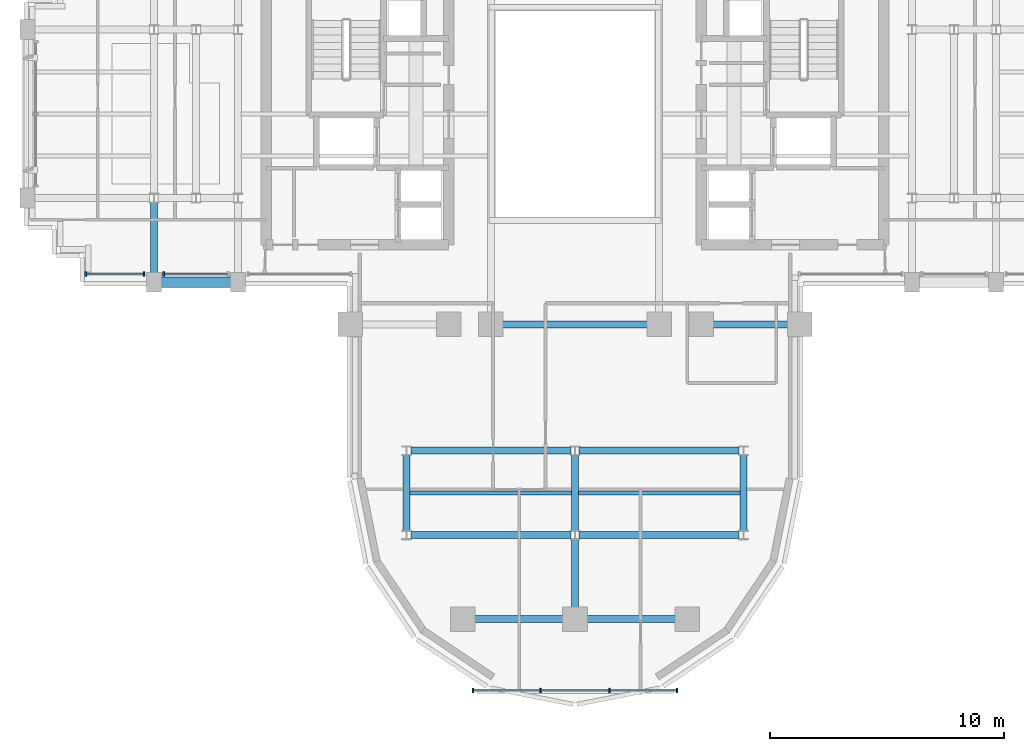
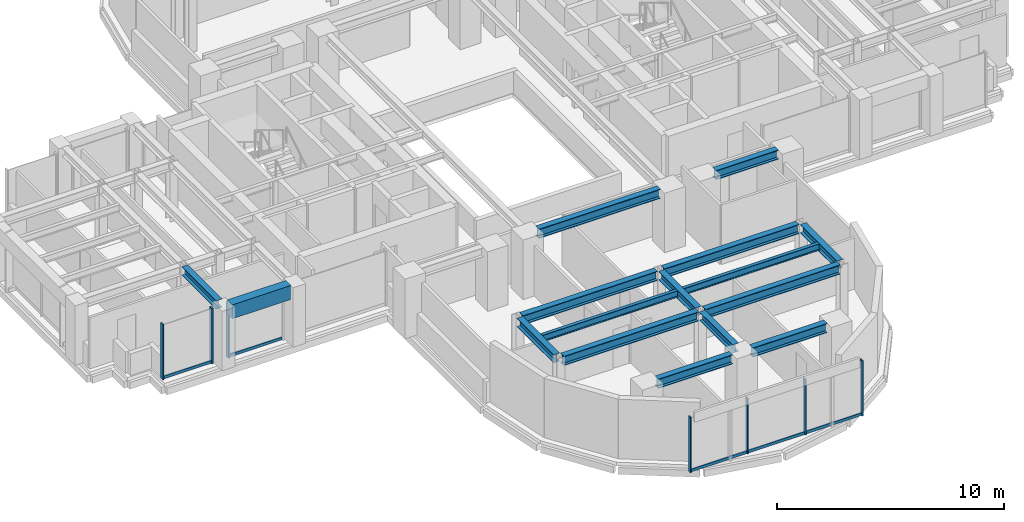
# One storey, part 3 of 14: 16 beams, 12 members, 3 elements without a shape of their own.
"""IFC4 building model written with IfcOpenShell, lengths in metres."""

from ifc_helpers import new_model, si_unit, direction, frame, origin, origin_2d, place, context, subcontext, project, spatial, rectangle, i_section, extrude, source, transform, mapped, material, material_profile, profile_set, type_object, element, aggregate, save


model = new_model("IFC4")

# Units and contexts
model_context = context("Model", 3, precision=1e-05, world=origin(), true_north=direction((0.0, 1.0)))
body_context = subcontext(model_context, "Body", "Model", "MODEL_VIEW")
ifc_project = project(units=[si_unit("LENGTHUNIT", "METRE"), si_unit("AREAUNIT", "SQUARE_METRE"), si_unit("VOLUMEUNIT", "CUBIC_METRE"), si_unit("PLANEANGLEUNIT", "RADIAN"), si_unit("MASSUNIT", "GRAM", prefix="KILO")], contexts=[model_context])

# Site, building, storey
site_placement = place(None, origin())
site = spatial("IfcSite", under=ifc_project, at=site_placement, CompositionType="ELEMENT")
building_placement = place(site_placement, origin())
building = spatial("IfcBuilding", under=site, at=building_placement, Name="Keilestroom Media Tower", CompositionType="ELEMENT")
storey_placement = place(building_placement, frame((0.0, 0.0, 121.0)))
storey = spatial("IfcBuildingStorey", under=building, at=storey_placement, Name="L32", CompositionType="ELEMENT", Elevation=121.0)

# Beams
ifc_material_1 = material(Name="Steel S355", Category="steel")
ifc_material_profile_1 = material_profile(ifc_material_1, i_section(OverallWidth=0.169921875, OverallDepth=0.360107421875, WebThickness=0.008056640625, FlangeThickness=0.0126953125, at=origin_2d()), Name="IPE 360")
ifc_profile_set_1 = profile_set([ifc_material_profile_1], Name="Steel S355")
beam_type_1 = type_object("IfcBeamType", Name="Secondary-Floor-Joist-IPE-360", PredefinedType="JOIST", material=ifc_profile_set_1)
shared_shape_1 = source(origin(), body_context, "Body", "SweptSolid", [
    extrude(i_section(OverallWidth=0.169921875, OverallDepth=0.360107421875, WebThickness=0.008056640625, FlangeThickness=0.0126953125, at=origin_2d()), origin(), (0.0, 0.0, 1.0), 6.940185546875),
])
for number, where, z_axis, x_axis, name in (
    (1, (-7.070068359375, -16.199951171875, 3.02001953125), (1.0, 0.0, 0.0), (0.0, 1.0, 0.0), "L32 Beam BJ-5 JST-L32-069"),
    (2, (0.1298828125, -16.199951171875, 3.02001953125), (1.0, 0.0, 0.0), (0.0, 1.0, 0.0), "L32 Beam BJ-5 JST-L32-070"),
):
    element("IfcBeam", number, at=place(storey_placement, frame(where, z_axis=z_axis, x_axis=x_axis)), inside=storey, type_object=beam_type_1, Name=name, PredefinedType="JOIST", context=body_context, shape_type="MappedRepresentation", body=[
        mapped(shared_shape_1, transform((0.0, 0.0, 0.0), x_axis=(1.0, 0.0, 0.0), y_axis=(0.0, 1.0, 0.0), z_axis=(0.0, 0.0, 1.0), scale=1.0)),
    ])
ifc_material_profile_2 = material_profile(ifc_material_1, i_section(OverallWidth=0.300048828125, OverallDepth=0.5, WebThickness=0.012451171875, FlangeThickness=0.028076171875, at=origin_2d()), Name="HEB 500")
ifc_profile_set_2 = profile_set([ifc_material_profile_2], Name="Steel S355")
beam_type_2 = type_object("IfcBeamType", Name="Primary-Structural-Girder-HEB-500", PredefinedType="BEAM", material=ifc_profile_set_2)
shared_shape_2 = source(origin(), body_context, "Body", "SweptSolid", [
    extrude(i_section(OverallWidth=0.300048828125, OverallDepth=0.5, WebThickness=0.012451171875, FlangeThickness=0.028076171875, at=origin_2d()), origin(), (0.0, 0.0, 1.0), 3.7900390625),
])
for number, where, z_axis, x_axis, name in (
    (3, (-4.294921875, -21.60009765625, 2.949951171875), (1.0, 0.0, 0.0), (0.0, 1.0, 0.0), "L32 Beam BG-6 BM-L32-EW-001"),
    (4, (0.5048828125, -21.60009765625, 2.949951171875), (1.0, 0.0, 0.0), (0.0, 1.0, 0.0), "L32 Beam BG-6 BM-L32-EW-002"),
):
    element("IfcBeam", number, at=place(storey_placement, frame(where, z_axis=z_axis, x_axis=x_axis)), inside=storey, type_object=beam_type_2, Name=name, PredefinedType="BEAM", context=body_context, shape_type="MappedRepresentation", body=[
        mapped(shared_shape_2, transform((0.0, 0.0, 0.0), x_axis=(1.0, 0.0, 0.0), y_axis=(0.0, 1.0, 0.0), z_axis=(0.0, 0.0, 1.0), scale=1.0)),
    ])
shared_shape_3 = source(origin(), body_context, "Body", "SweptSolid", [
    extrude(i_section(OverallWidth=0.300048828125, OverallDepth=0.5, WebThickness=0.012451171875, FlangeThickness=0.028076171875, at=origin_2d()), origin(), (0.0, 0.0, 1.0), 6.839111328125),
])
for number, where, z_axis, x_axis, name in (
    (5, (-7.01953125, -18.0, 2.949951171875), (1.0, 0.0, 0.0), (0.0, 1.0, 0.0), "L32 Beam BG-6 BM-L32-EW-003"),
    (6, (0.180419921875, -18.0, 2.949951171875), (1.0, 0.0, 0.0), (0.0, 1.0, 0.0), "L32 Beam BG-6 BM-L32-EW-004"),
    (7, (-7.01953125, -14.39990234375, 2.949951171875), (1.0, 0.0, 0.0), (0.0, 1.0, 0.0), "L32 Beam BG-6 BM-L32-EW-005"),
    (8, (0.180419921875, -14.39990234375, 2.949951171875), (1.0, 0.0, 0.0), (0.0, 1.0, 0.0), "L32 Beam BG-6 BM-L32-EW-006"),
):
    element("IfcBeam", number, at=place(storey_placement, frame(where, z_axis=z_axis, x_axis=x_axis)), inside=storey, type_object=beam_type_2, Name=name, PredefinedType="BEAM", context=body_context, shape_type="MappedRepresentation", body=[
        mapped(shared_shape_3, transform((0.0, 0.0, 0.0), x_axis=(1.0, 0.0, 0.0), y_axis=(0.0, 1.0, 0.0), z_axis=(0.0, 0.0, 1.0), scale=1.0)),
    ])
shared_shape_4 = source(origin(), body_context, "Body", "SweptSolid", [
    extrude(i_section(OverallWidth=0.300048828125, OverallDepth=0.5, WebThickness=0.012451171875, FlangeThickness=0.028076171875, at=origin_2d()), origin(), (0.0, 0.0, 1.0), 3.18994140625),
])
beam_1_placement = place(storey_placement, frame((5.905029296875, -9.0, 2.949951171875), z_axis=(1.0, 0.0, 0.0), x_axis=(0.0, 1.0, 0.0)))
element("IfcBeam", 9, at=beam_1_placement, inside=storey, type_object=beam_type_2, Name="L32 Beam BG-6 BM-L32-EW-011", PredefinedType="BEAM", context=body_context, shape_type="MappedRepresentation", body=[
    mapped(shared_shape_4, transform((0.0, 0.0, 0.0), x_axis=(1.0, 0.0, 0.0), y_axis=(0.0, 1.0, 0.0), z_axis=(0.0, 0.0, 1.0), scale=1.0)),
])
shared_shape_5 = source(origin(), body_context, "Body", "SweptSolid", [
    extrude(i_section(OverallWidth=0.300048828125, OverallDepth=0.5, WebThickness=0.012451171875, FlangeThickness=0.028076171875, at=origin_2d()), origin(), (0.0, 0.0, 1.0), 6.18994140625),
])
beam_2_placement = place(storey_placement, frame((-3.094970703125, -9.0, 2.949951171875), z_axis=(1.0, 0.0, 0.0), x_axis=(0.0, 1.0, 0.0)))
element("IfcBeam", 10, at=beam_2_placement, inside=storey, type_object=beam_type_2, Name="L32 Beam BG-6 BM-L32-EW-009", PredefinedType="BEAM", context=body_context, shape_type="MappedRepresentation", body=[
    mapped(shared_shape_5, transform((0.0, 0.0, 0.0), x_axis=(1.0, 0.0, 0.0), y_axis=(0.0, 1.0, 0.0), z_axis=(0.0, 0.0, 1.0), scale=1.0)),
])
ifc_material_2 = material(Name="Precast concrete C40/50", Category="concrete")
ifc_material_profile_3 = material_profile(ifc_material_2, rectangle(XDim=0.449951171875, YDim=0.75, at=origin_2d()), Name="PC 450x750")
ifc_profile_set_3 = profile_set([ifc_material_profile_3], Name="Precast concrete C40/50")
beam_type_3 = type_object("IfcBeamType", Name="Perimeter-Spandrel-Beam-PC-450x750", PredefinedType="SPANDREL", material=ifc_profile_set_3)
shared_shape_6 = source(origin(), body_context, "Body", "SweptSolid", [
    extrude(rectangle(XDim=0.449951171875, YDim=0.75, at=origin_2d()), origin(), (0.0, 0.0, 1.0), 2.989990234375),
])
beam_3_placement = place(storey_placement, frame((-17.695068359375, -7.199951171875, 2.824951171875), z_axis=(1.0, 0.0, 0.0), x_axis=(0.0, 1.0, 0.0)))
element("IfcBeam", 11, at=beam_3_placement, inside=storey, type_object=beam_type_3, Name="L32 Beam SPB-1 BM-L32-EW-012", PredefinedType="SPANDREL", context=body_context, shape_type="MappedRepresentation", body=[
    mapped(shared_shape_6, transform((0.0, 0.0, 0.0), x_axis=(1.0, 0.0, 0.0), y_axis=(0.0, 1.0, 0.0), z_axis=(0.0, 0.0, 1.0), scale=1.0)),
])
ifc_material_profile_4 = material_profile(ifc_material_1, i_section(OverallWidth=0.300048828125, OverallDepth=0.449951171875, WebThickness=0.011962890625, FlangeThickness=0.02587890625, at=origin_2d()), Name="HEB 450")
ifc_profile_set_4 = profile_set([ifc_material_profile_4], Name="Steel S355")
beam_type_4 = type_object("IfcBeamType", Name="Primary-Structural-Girder-HEB-450", PredefinedType="BEAM", material=ifc_profile_set_4)
shared_shape_7 = source(origin(), body_context, "Body", "SweptSolid", [
    extrude(i_section(OverallWidth=0.300048828125, OverallDepth=0.449951171875, WebThickness=0.011962890625, FlangeThickness=0.02587890625, at=origin_2d()), origin(), (0.0, 0.0, 1.0), 3.015380859375),
])
beam_4_placement = place(storey_placement, frame((-18.0, -6.794921875, 2.97509765625), z_axis=(0.0, 1.0, 0.0), x_axis=(-1.0, 0.0, 0.0)))
element("IfcBeam", 12, at=beam_4_placement, inside=storey, type_object=beam_type_4, Name="L32 Beam BG-7 BM-L32-NS-040", PredefinedType="BEAM", context=body_context, shape_type="MappedRepresentation", body=[
    mapped(shared_shape_7, transform((0.0, 0.0, 0.0), x_axis=(1.0, 0.0, 0.0), y_axis=(0.0, 1.0, 0.0), z_axis=(0.0, 0.0, 1.0), scale=1.0)),
])
shared_shape_8 = source(origin(), body_context, "Body", "SweptSolid", [
    extrude(i_section(OverallWidth=0.300048828125, OverallDepth=0.449951171875, WebThickness=0.011962890625, FlangeThickness=0.02587890625, at=origin_2d()), origin(), (0.0, 0.0, 1.0), 3.240966796875),
])
for number, where, z_axis, x_axis, name in (
    (13, (-7.199951171875, -17.820556640625, 2.97509765625), (0.0, 1.0, 0.0), (-1.0, 0.0, 0.0), "L32 Beam BG-7 BM-L32-NS-048"),
    (14, (0.0, -17.820556640625, 2.97509765625), (0.0, 1.0, 0.0), (-1.0, 0.0, 0.0), "L32 Beam BG-7 BM-L32-NS-053"),
    (15, (7.199951171875, -17.820556640625, 2.97509765625), (0.0, 1.0, 0.0), (-1.0, 0.0, 0.0), "L32 Beam BG-7 BM-L32-NS-058"),
):
    element("IfcBeam", number, at=place(storey_placement, frame(where, z_axis=z_axis, x_axis=x_axis)), inside=storey, type_object=beam_type_4, Name=name, PredefinedType="BEAM", context=body_context, shape_type="MappedRepresentation", body=[
        mapped(shared_shape_8, transform((0.0, 0.0, 0.0), x_axis=(1.0, 0.0, 0.0), y_axis=(0.0, 1.0, 0.0), z_axis=(0.0, 0.0, 1.0), scale=1.0)),
    ])
shared_shape_9 = source(origin(), body_context, "Body", "SweptSolid", [
    extrude(i_section(OverallWidth=0.300048828125, OverallDepth=0.449951171875, WebThickness=0.011962890625, FlangeThickness=0.02587890625, at=origin_2d()), origin(), (0.0, 0.0, 1.0), 2.91552734375),
])
beam_5_placement = place(storey_placement, frame((0.0, -21.094970703125, 2.97509765625), z_axis=(0.0, 1.0, 0.0), x_axis=(-1.0, 0.0, 0.0)))
element("IfcBeam", 16, at=beam_5_placement, inside=storey, type_object=beam_type_4, Name="L32 Beam BG-7 BM-L32-NS-052", PredefinedType="BEAM", context=body_context, shape_type="MappedRepresentation", body=[
    mapped(shared_shape_9, transform((0.0, 0.0, 0.0), x_axis=(1.0, 0.0, 0.0), y_axis=(0.0, 1.0, 0.0), z_axis=(0.0, 0.0, 1.0), scale=1.0)),
])

# Curtain wall, members
ifc_material_3 = material(Name="Anodised Aluminium Alloy", Category="aluminium")
curtain_wall_type_1 = type_object("IfcCurtainWallType", Name="Unitised-Curtain-Wall-CW-6", PredefinedType="NOTDEFINED", material=ifc_material_3)
curtain_wall_1_placement = place(storey_placement, origin())
curtain_wall_1 = element("IfcCurtainWall", 17, at=curtain_wall_1_placement, inside=storey, type_object=curtain_wall_type_1, Name="L32 Curtain Wall CW-6 CW-L32-LS-1", PredefinedType="NOTDEFINED")
ifc_material_profile_5 = material_profile(ifc_material_3, rectangle(XDim=0.06494140625, YDim=0.179931640625, at=origin_2d()), Name="ALU MULLION 65x180")
ifc_profile_set_5 = profile_set([ifc_material_profile_5], Name="Anodised Aluminium Alloy")
member_type_1 = type_object("IfcMemberType", Name="Curtain-Wall-Mullion-CW-6", PredefinedType="MULLION", material=ifc_profile_set_5)
shared_shape_10 = source(origin(), body_context, "Body", "SweptSolid", [
    extrude(rectangle(XDim=0.06494140625, YDim=0.179931640625, at=origin_2d()), origin(), (0.0, 0.0, 1.0), 2.97998046875),
])
member_1_placement = place(storey_placement, frame((-4.367431640625, -24.64990234375, 0.0), z_axis=(0.0, 0.0, 1.0), x_axis=(1.0, 0.0, 0.0)))
member_1 = element("IfcMember", 18, at=member_1_placement, type_object=member_type_1, Name="CW-6 Mullion 00", PredefinedType="MULLION", context=body_context, shape_type="MappedRepresentation", body=[
    mapped(shared_shape_10, transform((0.0, 0.0, 0.0), x_axis=(1.0, 0.0, 0.0), y_axis=(0.0, 1.0, 0.0), z_axis=(0.0, 0.0, 1.0), scale=1.0)),
])
member_2_placement = place(storey_placement, frame((-1.466796875, -24.64990234375, 0.0), z_axis=(0.0, 0.0, 1.0), x_axis=(1.0, 0.0, 0.0)))
member_2 = element("IfcMember", 19, at=member_2_placement, type_object=member_type_1, Name="CW-6 Mullion 01", PredefinedType="MULLION", context=body_context, shape_type="MappedRepresentation", body=[
    mapped(shared_shape_10, transform((0.0, 0.0, 0.0), x_axis=(1.0, 0.0, 0.0), y_axis=(0.0, 1.0, 0.0), z_axis=(0.0, 0.0, 1.0), scale=1.0)),
])
member_3_placement = place(storey_placement, frame((1.466796875, -24.64990234375, 0.0), z_axis=(0.0, 0.0, 1.0), x_axis=(1.0, 0.0, 0.0)))
member_3 = element("IfcMember", 20, at=member_3_placement, type_object=member_type_1, Name="CW-6 Mullion 02", PredefinedType="MULLION", context=body_context, shape_type="MappedRepresentation", body=[
    mapped(shared_shape_10, transform((0.0, 0.0, 0.0), x_axis=(1.0, 0.0, 0.0), y_axis=(0.0, 1.0, 0.0), z_axis=(0.0, 0.0, 1.0), scale=1.0)),
])
member_4_placement = place(storey_placement, frame((4.367431640625, -24.64990234375, 0.0), z_axis=(0.0, 0.0, 1.0), x_axis=(1.0, 0.0, 0.0)))
member_4 = element("IfcMember", 21, at=member_4_placement, type_object=member_type_1, Name="CW-6 Mullion 03", PredefinedType="MULLION", context=body_context, shape_type="MappedRepresentation", body=[
    mapped(shared_shape_10, transform((0.0, 0.0, 0.0), x_axis=(1.0, 0.0, 0.0), y_axis=(0.0, 1.0, 0.0), z_axis=(0.0, 0.0, 1.0), scale=1.0)),
])
ifc_material_profile_6 = material_profile(ifc_material_3, rectangle(XDim=0.06494140625, YDim=0.14990234375, at=origin_2d()), Name="ALU TRANSOM 65x150")
ifc_profile_set_6 = profile_set([ifc_material_profile_6], Name="Anodised Aluminium Alloy")
member_type_2 = type_object("IfcMemberType", Name="Curtain-Wall-Transom-CW-6", PredefinedType="USERDEFINED", material=ifc_profile_set_6)
shared_shape_11 = source(origin(), body_context, "Body", "SweptSolid", [
    extrude(rectangle(XDim=0.06494140625, YDim=0.14990234375, at=origin_2d()), origin(), (0.0, 0.0, 1.0), 2.839599609375),
])
member_5_placement = place(storey_placement, frame((-4.3369140625, -24.64990234375, 0.074951171875), z_axis=(1.0, 0.0, 0.0), x_axis=(0.0, 1.0, 0.0)))
member_5 = element("IfcMember", 22, at=member_5_placement, type_object=member_type_2, Name="CW-6 Transom 00.1", ObjectType="TRANSOM", PredefinedType="USERDEFINED", context=body_context, shape_type="MappedRepresentation", body=[
    mapped(shared_shape_11, transform((0.0, 0.0, 0.0), x_axis=(1.0, 0.0, 0.0), y_axis=(0.0, 1.0, 0.0), z_axis=(0.0, 0.0, 1.0), scale=1.0)),
])
member_6_placement = place(storey_placement, frame((1.497314453125, -24.64990234375, 0.074951171875), z_axis=(1.0, 0.0, 0.0), x_axis=(0.0, 1.0, 0.0)))
member_6 = element("IfcMember", 23, at=member_6_placement, type_object=member_type_2, Name="CW-6 Transom 02.1", ObjectType="TRANSOM", PredefinedType="USERDEFINED", context=body_context, shape_type="MappedRepresentation", body=[
    mapped(shared_shape_11, transform((0.0, 0.0, 0.0), x_axis=(1.0, 0.0, 0.0), y_axis=(0.0, 1.0, 0.0), z_axis=(0.0, 0.0, 1.0), scale=1.0)),
])
shared_shape_12 = source(origin(), body_context, "Body", "SweptSolid", [
    extrude(rectangle(XDim=0.06494140625, YDim=0.14990234375, at=origin_2d()), origin(), (0.0, 0.0, 1.0), 2.87255859375),
])
member_7_placement = place(storey_placement, frame((-1.436279296875, -24.64990234375, 0.074951171875), z_axis=(1.0, 0.0, 0.0), x_axis=(0.0, 1.0, 0.0)))
member_7 = element("IfcMember", 24, at=member_7_placement, type_object=member_type_2, Name="CW-6 Transom 01.1", ObjectType="TRANSOM", PredefinedType="USERDEFINED", context=body_context, shape_type="MappedRepresentation", body=[
    mapped(shared_shape_12, transform((0.0, 0.0, 0.0), x_axis=(1.0, 0.0, 0.0), y_axis=(0.0, 1.0, 0.0), z_axis=(0.0, 0.0, 1.0), scale=1.0)),
])
aggregate(curtain_wall_1, [member_1, member_2, member_3, member_4, member_5, member_7, member_6])

curtain_wall_type_2 = type_object("IfcCurtainWallType", Name="Unitised-Curtain-Wall-CW-2", PredefinedType="NOTDEFINED", material=ifc_material_3)
curtain_wall_2_placement = place(storey_placement, origin())
curtain_wall_2 = element("IfcCurtainWall", 25, at=curtain_wall_2_placement, inside=storey, type_object=curtain_wall_type_2, Name="L32 Curtain Wall CW-2 CW-L32-SW-1", PredefinedType="NOTDEFINED")
ifc_material_profile_7 = material_profile(ifc_material_3, rectangle(XDim=0.070068359375, YDim=0.199951171875, at=origin_2d()), Name="ALU MULLION 70x200")
ifc_profile_set_7 = profile_set([ifc_material_profile_7], Name="Anodised Aluminium Alloy")
member_type_3 = type_object("IfcMemberType", Name="Curtain-Wall-Mullion-CW-2", PredefinedType="MULLION", material=ifc_profile_set_7)
shared_shape_13 = source(origin(), body_context, "Body", "SweptSolid", [
    extrude(rectangle(XDim=0.070068359375, YDim=0.199951171875, at=origin_2d()), origin(), (0.0, 0.0, 1.0), 2.97998046875),
])
member_8_placement = place(storey_placement, frame((-20.9150390625, -6.85009765625, 0.0), z_axis=(0.0, 0.0, 1.0), x_axis=(1.0, 0.0, 0.0)))
member_8 = element("IfcMember", 26, at=member_8_placement, type_object=member_type_3, Name="CW-2 Mullion 00", PredefinedType="MULLION", context=body_context, shape_type="MappedRepresentation", body=[
    mapped(shared_shape_13, transform((0.0, 0.0, 0.0), x_axis=(1.0, 0.0, 0.0), y_axis=(0.0, 1.0, 0.0), z_axis=(0.0, 0.0, 1.0), scale=1.0)),
])
member_9_placement = place(storey_placement, frame((-18.419921875, -6.85009765625, 0.0), z_axis=(0.0, 0.0, 1.0), x_axis=(1.0, 0.0, 0.0)))
member_9 = element("IfcMember", 27, at=member_9_placement, type_object=member_type_3, Name="CW-2 Mullion 01", PredefinedType="MULLION", context=body_context, shape_type="MappedRepresentation", body=[
    mapped(shared_shape_13, transform((0.0, 0.0, 0.0), x_axis=(1.0, 0.0, 0.0), y_axis=(0.0, 1.0, 0.0), z_axis=(0.0, 0.0, 1.0), scale=1.0)),
])

# Curtain wall, member
curtain_wall_3_placement = place(storey_placement, origin())
curtain_wall_3 = element("IfcCurtainWall", 28, at=curtain_wall_3_placement, inside=storey, type_object=curtain_wall_type_2, Name="L32 Curtain Wall CW-2 CW-L32-SW-2", PredefinedType="NOTDEFINED")
member_10_placement = place(storey_placement, frame((-17.580078125, -6.85009765625, 0.0), z_axis=(0.0, 0.0, 1.0), x_axis=(1.0, 0.0, 0.0)))
member_10 = element("IfcMember", 29, at=member_10_placement, type_object=member_type_3, Name="CW-2 Mullion 00", PredefinedType="MULLION", context=body_context, shape_type="MappedRepresentation", body=[
    mapped(shared_shape_13, transform((0.0, 0.0, 0.0), x_axis=(1.0, 0.0, 0.0), y_axis=(0.0, 1.0, 0.0), z_axis=(0.0, 0.0, 1.0), scale=1.0)),
])

# Member
ifc_material_profile_8 = material_profile(ifc_material_3, rectangle(XDim=0.06494140625, YDim=0.14990234375, at=origin_2d()), Name="ALU TRANSOM 65x150")
ifc_profile_set_8 = profile_set([ifc_material_profile_8], Name="Anodised Aluminium Alloy")
member_type_4 = type_object("IfcMemberType", Name="Curtain-Wall-Transom-CW-2", PredefinedType="USERDEFINED", material=ifc_profile_set_8)
shared_shape_14 = source(origin(), body_context, "Body", "SweptSolid", [
    extrude(rectangle(XDim=0.06494140625, YDim=0.14990234375, at=origin_2d()), origin(), (0.0, 0.0, 1.0), 2.42919921875),
])
member_11_placement = place(storey_placement, frame((-20.882080078125, -6.85009765625, 0.074951171875), z_axis=(1.0, 0.0, 0.0), x_axis=(0.0, 1.0, 0.0)))
member_11 = element("IfcMember", 30, at=member_11_placement, type_object=member_type_4, Name="CW-2 Transom 00.1", ObjectType="TRANSOM", PredefinedType="USERDEFINED", context=body_context, shape_type="MappedRepresentation", body=[
    mapped(shared_shape_14, transform((0.0, 0.0, 0.0), x_axis=(1.0, 0.0, 0.0), y_axis=(0.0, 1.0, 0.0), z_axis=(0.0, 0.0, 1.0), scale=1.0)),
])

aggregate(curtain_wall_2, [member_8, member_9, member_11])

shared_shape_15 = source(origin(), body_context, "Body", "SweptSolid", [
    extrude(rectangle(XDim=0.06494140625, YDim=0.14990234375, at=origin_2d()), origin(), (0.0, 0.0, 1.0), 2.694091796875),
])
member_12_placement = place(storey_placement, frame((-17.547119140625, -6.85009765625, 0.074951171875), z_axis=(1.0, 0.0, 0.0), x_axis=(0.0, 1.0, 0.0)))
member_12 = element("IfcMember", 31, at=member_12_placement, type_object=member_type_4, Name="CW-2 Transom 00.1", ObjectType="TRANSOM", PredefinedType="USERDEFINED", context=body_context, shape_type="MappedRepresentation", body=[
    mapped(shared_shape_15, transform((0.0, 0.0, 0.0), x_axis=(1.0, 0.0, 0.0), y_axis=(0.0, 1.0, 0.0), z_axis=(0.0, 0.0, 1.0), scale=1.0)),
])

aggregate(curtain_wall_3, [member_10, member_12])

save(model, "model.ifc")
